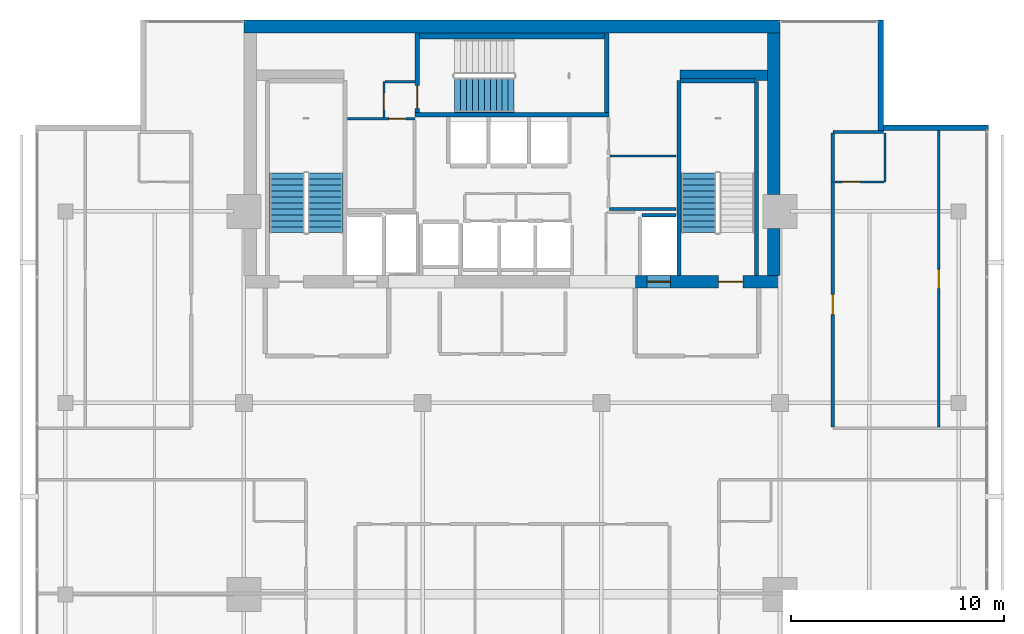
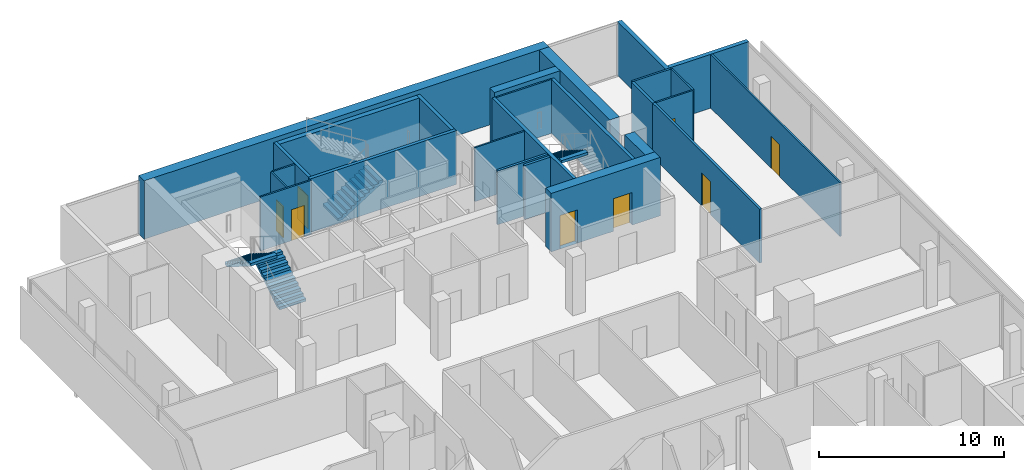
# One storey, part 23 of 26: 26 walls, 8 doors, 4 stair flights, 8 openings, 3 elements without a shape of their own.
"""IFC4 building model written with IfcOpenShell, lengths in metres."""

from ifc_helpers import new_model, si_unit, direction, frame, frame_2d, origin, place, context, subcontext, project, spatial, polyline, rectangle, outline, extrude, material, layer, layer_set, type_object, element, fill, aggregate, save


model = new_model("IFC4")

# Units and contexts
model_context = context("Model", 3, precision=1e-05, world=origin(), true_north=direction((0.0, 1.0)))
body_context = subcontext(model_context, "Body", "Model", "MODEL_VIEW")
ifc_project = project(units=[si_unit("LENGTHUNIT", "METRE"), si_unit("AREAUNIT", "SQUARE_METRE"), si_unit("VOLUMEUNIT", "CUBIC_METRE"), si_unit("PLANEANGLEUNIT", "RADIAN"), si_unit("MASSUNIT", "GRAM", prefix="KILO")], contexts=[model_context])

# Site, building, storey
site_placement = place(None, origin())
site = spatial("IfcSite", under=ifc_project, at=site_placement, CompositionType="ELEMENT")
building_placement = place(site_placement, origin())
building = spatial("IfcBuilding", under=site, at=building_placement, Name="Maruvema Waterfront Hotel and Observation Tower", CompositionType="ELEMENT")
storey_placement = place(building_placement, frame((0.0, 0.0, 312.550048828125)))
storey = spatial("IfcBuildingStorey", under=building, at=storey_placement, Name="L77", CompositionType="ELEMENT", Elevation=312.550048828125)

# Wall
ifc_material_1 = material(Name="Twin-stud acoustic gypsum drywall", Category="gypsum")
ifc_layer_1 = layer(ifc_material_1, 0.14990234375, Name="Acoustic Corridor and Suite Demising Wall 150 mm")
ifc_layer_set_1 = layer_set([ifc_layer_1], Name="Twin-stud acoustic gypsum drywall")
wall_type_1 = type_object("IfcWallType", Name="Acoustic Corridor and Suite Demising Wall 150 mm", PredefinedType="PARTITIONING", material=ifc_layer_set_1)
wall_1_placement = place(storey_placement, frame((42.3798828125, 45.1201171875, 0.0), z_axis=(0.0, 0.0, 1.0), x_axis=(1.0, 0.0, 0.0)))
element("IfcWall", 1, at=wall_1_placement, inside=storey, type_object=wall_type_1, Name="L77 Freed B2 South Wall 025", PredefinedType="PARTITIONING", context=body_context, shape_type="SweptSolid", body=[
    extrude(rectangle(XDim=3.14013671875, YDim=0.14990234375, at=frame_2d((1.570068359375, 0.0))), origin(), (0.0, 0.0, 1.0), 3.550048828125),
])

# Wall, opening, door
wall_2_placement = place(storey_placement, frame((52.8798828125, 34.860107421875, 0.0), z_axis=(0.0, 0.0, 1.0), x_axis=(0.0, 1.0, 0.0)))
wall_2 = element("IfcWall", 2, at=wall_2_placement, inside=storey, type_object=wall_type_1, Name="L77 Room L77-NE1 Corridor Wall 101", PredefinedType="PARTITIONING", context=body_context, shape_type="SweptSolid", body=[
    extrude(rectangle(XDim=11.52734375, YDim=0.14990234375, at=frame_2d((5.763671875, 0.0))), origin(), (0.0, 0.0, 1.0), 3.550048828125),
])
opening_1_placement = place(wall_2_placement, frame((5.288818359375, 0.0, 0.0)))
opening_1 = element("IfcOpeningElement", 3, at=opening_1_placement, cuts=wall_2, Name="Opening DR-095", PredefinedType="OPENING", context=body_context, shape_type="SweptSolid", body=[
    extrude(rectangle(XDim=0.949951171875, YDim=2.14990234375, at=frame_2d((0.47509765625, 1.074951171875))), frame((0.0, 0.0849609375, 0.0), z_axis=(0.0, -1.0, 0.0), x_axis=(1.0, 0.0, 0.0)), (0.0, 0.0, 1.0), 0.169921875),
])
ifc_material_2 = material(Name="Acoustic solid-core hardwood timber leaf", Category="wood")
door_type_1 = type_object("IfcDoorType", Name="Guestroom Entrance Fire Door 950x2150 mm", OperationType="NOTDEFINED", PredefinedType="DOOR", material=ifc_material_2)
door_1_placement = place(opening_1_placement, frame((0.949951171875, 0.0, 0.0), z_axis=(0.0, 0.0, 1.0), x_axis=(-1.0, 0.0, 0.0)))
door_1 = element("IfcDoor", 4, at=door_1_placement, inside=storey, type_object=door_type_1, Name="L77 Room L77-NE1 Entrance Door", OperationType="SINGLE_SWING_RIGHT", OverallHeight=2.14990234375, OverallWidth=0.949951171875, PredefinedType="DOOR", context=body_context, shape_type="SweptSolid", body=[
    extrude(rectangle(XDim=0.949951171875, YDim=2.14990234375, at=frame_2d((0.47509765625, 1.074951171875))), frame((0.0, 0.02490234375, 0.0), z_axis=(0.0, -1.0, 0.0), x_axis=(1.0, 0.0, 0.0)), (0.0, 0.0, 1.0), 0.050048828125),
])
fill(opening_1, door_1)

# Walls
wall_3_placement = place(storey_placement, frame((52.8798828125, 46.387451171875, 0.0), z_axis=(0.0, 0.0, 1.0), x_axis=(0.0, 1.0, 0.0)))
element("IfcWall", 5, at=wall_3_placement, inside=storey, type_object=wall_type_1, Name="L77 Bath L77-NE1 Wall 102", PredefinedType="PARTITIONING", context=body_context, shape_type="SweptSolid", body=[
    extrude(rectangle(XDim=2.2900390625, YDim=0.14990234375, at=frame_2d((1.14501953125, 0.0))), origin(), (0.0, 0.0, 1.0), 3.550048828125),
])
ifc_material_3 = material(Name="Precast concrete C45/55", Category="concrete")
ifc_layer_2 = layer(ifc_material_3, 0.300048828125, Name="Core Shaft Furring Wall 300 mm")
ifc_layer_set_2 = layer_set([ifc_layer_2], Name="Precast concrete C45/55")
wall_type_2 = type_object("IfcWallType", Name="Core Shaft Furring Wall 300 mm", PredefinedType="SOLIDWALL", material=ifc_layer_set_2)
wall_4_placement = place(storey_placement, frame((33.449951171875, 53.25, 0.0), z_axis=(0.0, 0.0, 1.0), x_axis=(1.0, 0.0, 0.0)))
element("IfcWall", 6, at=wall_4_placement, inside=storey, type_object=wall_type_2, Name="L77 Stairwell ST-02 North Furring Wall", PredefinedType="SOLIDWALL", context=body_context, shape_type="SweptSolid", body=[
    extrude(rectangle(XDim=8.699951171875, YDim=0.300048828125, at=frame_2d((4.35009765625, 0.0))), origin(), (0.0, 0.0, 1.0), 3.550048828125),
])
ifc_material_4 = material(Name="Precast concrete C45/55", Category="concrete")
ifc_layer_3 = layer(ifc_material_4, 0.199951171875, Name="Core Shaft and Stairwell Enclosure Wall 200 mm")
ifc_layer_set_3 = layer_set([ifc_layer_3], Name="Precast concrete C45/55")
wall_type_3 = type_object("IfcWallType", Name="Core Shaft and Stairwell Enclosure Wall 200 mm", PredefinedType="SOLIDWALL", material=ifc_layer_set_3)
wall_5_placement = place(storey_placement, frame((33.25, 49.550048828125, 0.0), z_axis=(0.0, 0.0, 1.0), x_axis=(1.0, 0.0, 0.0)))
element("IfcWall", 7, at=wall_5_placement, inside=storey, type_object=wall_type_3, Name="L77 Stairwell ST-02 Shaft Wall", PredefinedType="SOLIDWALL", context=body_context, shape_type="SweptSolid", body=[
    extrude(rectangle(XDim=9.10009765625, YDim=0.199951171875, at=frame_2d((4.550048828125, 0.0))), origin(), (0.0, 0.0, 1.0), 3.550048828125),
])
wall_6_placement = place(storey_placement, frame((42.25, 49.64990234375, 0.0), z_axis=(0.0, 0.0, 1.0), x_axis=(0.0, 1.0, 0.0)))
element("IfcWall", 8, at=wall_6_placement, inside=storey, type_object=wall_type_3, Name="L77 Stairwell ST-02 Shaft Wall", PredefinedType="SOLIDWALL", context=body_context, shape_type="SweptSolid", body=[
    extrude(rectangle(XDim=3.75, YDim=0.199951171875, at=frame_2d((1.875, 0.0))), origin(), (0.0, 0.0, 1.0), 3.550048828125),
])

# Wall, opening, door
wall_7_placement = place(storey_placement, frame((33.35009765625, 49.64990234375, 0.0), z_axis=(0.0, 0.0, 1.0), x_axis=(0.0, 1.0, 0.0)))
wall_7 = element("IfcWall", 9, at=wall_7_placement, inside=storey, type_object=wall_type_3, Name="L77 Stairwell ST-02 Shaft Wall", PredefinedType="SOLIDWALL", context=body_context, shape_type="SweptSolid", body=[
    extrude(rectangle(XDim=3.75, YDim=0.199951171875, at=frame_2d((1.875, 0.0))), origin(), (0.0, 0.0, 1.0), 3.550048828125),
])
opening_2_placement = place(wall_7_placement, frame((0.179931640625, 0.0, 0.0)))
opening_2 = element("IfcOpeningElement", 10, at=opening_2_placement, cuts=wall_7, Name="Opening SD-02", PredefinedType="OPENING", context=body_context, shape_type="SweptSolid", body=[
    extrude(rectangle(XDim=1.10009765625, YDim=2.14990234375, at=frame_2d((0.550048828125, 1.074951171875))), frame((0.0, 0.10986328125, 0.0), z_axis=(0.0, -1.0, 0.0), x_axis=(1.0, 0.0, 0.0)), (0.0, 0.0, 1.0), 0.219970703125),
])
ifc_material_5 = material(Name="Fire-rated galvanised steel leaf", Category="steel")
door_type_2 = type_object("IfcDoorType", Name="Central Exit Stair Fire Door 1100x2150 mm", OperationType="NOTDEFINED", PredefinedType="DOOR", material=ifc_material_5)
door_2_placement = place(opening_2_placement, frame((1.10009765625, 0.0, 0.0), z_axis=(0.0, 0.0, 1.0), x_axis=(-1.0, 0.0, 0.0)))
door_2 = element("IfcDoor", 11, at=door_2_placement, inside=storey, type_object=door_type_2, Name="L77 Exit Stair ST-02 Fire Door", OperationType="SINGLE_SWING_LEFT", OverallHeight=2.14990234375, OverallWidth=1.10009765625, PredefinedType="DOOR", context=body_context, shape_type="SweptSolid", body=[
    extrude(rectangle(XDim=1.10009765625, YDim=2.14990234375, at=frame_2d((0.550048828125, 1.074951171875))), frame((0.0, 0.02490234375, 0.0), z_axis=(0.0, -1.0, 0.0), x_axis=(1.0, 0.0, 0.0)), (0.0, 0.0, 1.0), 0.050048828125),
])
fill(opening_2, door_2)

# Walls
wall_8_placement = place(storey_placement, frame((45.64990234375, 42.0, 0.0), z_axis=(0.0, 0.0, 1.0), x_axis=(0.0, 1.0, 0.0)))
element("IfcWall", 12, at=wall_8_placement, inside=storey, type_object=wall_type_3, Name="L77 Stairwell ST-03 West Shaft Wall", PredefinedType="SOLIDWALL", context=body_context, shape_type="SweptSolid", body=[
    extrude(rectangle(XDim=9.14990234375, YDim=0.199951171875, at=frame_2d((4.574951171875, 0.0))), origin(), (0.0, 0.0, 1.0), 3.550048828125),
])
wall_9_placement = place(storey_placement, frame((49.300048828125, 42.0, 0.0), z_axis=(0.0, 0.0, 1.0), x_axis=(0.0, 1.0, 0.0)))
element("IfcWall", 13, at=wall_9_placement, inside=storey, type_object=wall_type_3, Name="L77 Stairwell ST-03 Shaft Lining Wall", PredefinedType="SOLIDWALL", context=body_context, shape_type="SweptSolid", body=[
    extrude(rectangle(XDim=9.1201171875, YDim=0.199951171875, at=frame_2d((4.56005859375, 0.0))), origin(), (0.0, 0.0, 1.0), 3.550048828125),
])
wall_10_placement = place(storey_placement, frame((45.719970703125, 51.14990234375, 0.0), z_axis=(0.0, 0.0, 1.0), x_axis=(1.0, 0.0, 0.0)))
element("IfcWall", 14, at=wall_10_placement, inside=storey, type_object=wall_type_3, Name="L77 Stairwell ST-03 Shaft Lining Wall", PredefinedType="SOLIDWALL", context=body_context, shape_type="SweptSolid", body=[
    extrude(rectangle(XDim=3.5, YDim=0.199951171875, at=frame_2d((1.75, 0.0))), origin(), (0.0, 0.0, 1.0), 3.550048828125),
])
ifc_material_6 = material(Name="Concrete C70/85", Category="concrete")
ifc_layer_4 = layer(ifc_material_6, 0.5, Name="Core Shear Wall 500 mm")
ifc_layer_set_4 = layer_set([ifc_layer_4], Name="Concrete C70/85")
wall_type_4 = type_object("IfcWallType", Name="Core Shear Wall 500 mm", PredefinedType="SHEAR", material=ifc_layer_set_4)
wall_11_placement = place(storey_placement, frame((45.699951171875, 51.39990234375, 0.0), z_axis=(0.0, 0.0, 1.0), x_axis=(1.0, 0.0, 0.0)))
element("IfcWall", 15, at=wall_11_placement, inside=storey, type_object=wall_type_4, Name="L77 Internal Core Shear Wall NE 500 mm", PredefinedType="SHEAR", context=body_context, shape_type="SweptSolid", body=[
    extrude(rectangle(XDim=4.10009765625, YDim=0.5, at=frame_2d((2.050048828125, 0.0))), origin(), (0.0, 0.0, 1.0), 3.849853515625),
])
ifc_material_7 = material(Name="Concrete C60/75", Category="concrete")
ifc_layer_5 = layer(ifc_material_7, 0.60009765625, Name="Core Shear Wall 600 mm")
ifc_layer_set_5 = layer_set([ifc_layer_5], Name="Concrete C60/75")
wall_type_5 = type_object("IfcWallType", Name="Core Shear Wall 600 mm", PredefinedType="SHEAR", material=ifc_layer_set_5)
wall_12_placement = place(storey_placement, frame((25.199951171875, 53.699951171875, 0.0), z_axis=(0.0, 0.0, 1.0), x_axis=(1.0, 0.0, 0.0)))
element("IfcWall", 16, at=wall_12_placement, inside=storey, type_object=wall_type_5, Name="L77 North Core Shear Wall", PredefinedType="SHEAR", context=body_context, shape_type="SweptSolid", body=[
    extrude(rectangle(XDim=25.199951171875, YDim=0.60009765625, at=frame_2d((12.60009765625, 0.0))), origin(), (0.0, 0.0, 1.0), 3.849853515625),
])

# Wall, openings, doors
wall_13_placement = place(storey_placement, frame((43.60009765625, 41.699951171875, 0.0), z_axis=(0.0, 0.0, 1.0), x_axis=(1.0, 0.0, 0.0)))
wall_13 = element("IfcWall", 17, at=wall_13_placement, inside=storey, type_object=wall_type_5, Name="L77 South-East Core Shear Wall", PredefinedType="SHEAR", context=body_context, shape_type="SweptSolid", body=[
    extrude(rectangle(XDim=6.7998046875, YDim=0.60009765625, at=frame_2d((3.39990234375, 0.0))), origin(), (0.0, 0.0, 1.0), 3.849853515625),
])
opening_3_placement = place(wall_13_placement, frame((3.89990234375, 0.0, 0.0)))
opening_3 = element("IfcOpeningElement", 18, at=opening_3_placement, cuts=wall_13, Name="Opening SD-01", PredefinedType="OPENING", context=body_context, shape_type="SweptSolid", body=[
    extrude(rectangle(XDim=1.14990234375, YDim=2.14990234375, at=frame_2d((0.574951171875, 1.074951171875))), frame((0.0, 0.31005859375, 0.0), z_axis=(0.0, -1.0, 0.0), x_axis=(1.0, 0.0, 0.0)), (0.0, 0.0, 1.0), 0.6201171875),
])
opening_4_placement = place(wall_13_placement, frame((0.550048828125, 0.0, 0.0)))
opening_4 = element("IfcOpeningElement", 19, at=opening_4_placement, cuts=wall_13, Name="Opening LD-03", PredefinedType="OPENING", context=body_context, shape_type="SweptSolid", body=[
    extrude(rectangle(XDim=1.10009765625, YDim=2.199951171875, at=frame_2d((0.550048828125, 1.10009765625))), frame((0.0, 0.31005859375, 0.0), z_axis=(0.0, -1.0, 0.0), x_axis=(1.0, 0.0, 0.0)), (0.0, 0.0, 1.0), 0.6201171875),
])
ifc_material_8 = material(Name="Fire-rated galvanised steel leaf", Category="steel")
door_type_3 = type_object("IfcDoorType", Name="Exit Stair Fire Door 1150x2150 mm", OperationType="NOTDEFINED", PredefinedType="DOOR", material=ifc_material_8)
door_3_placement = place(opening_3_placement, origin())
door_3 = element("IfcDoor", 20, at=door_3_placement, inside=storey, type_object=door_type_3, Name="L77 Exit Stair ST-03 Fire Door", OperationType="SINGLE_SWING_RIGHT", OverallHeight=2.14990234375, OverallWidth=1.14990234375, PredefinedType="DOOR", context=body_context, shape_type="SweptSolid", body=[
    extrude(rectangle(XDim=1.14990234375, YDim=2.14990234375, at=frame_2d((0.574951171875, 1.074951171875))), frame((0.0, 0.02490234375, 0.0), z_axis=(0.0, -1.0, 0.0), x_axis=(1.0, 0.0, 0.0)), (0.0, 0.0, 1.0), 0.050048828125),
])
fill(opening_3, door_3)
ifc_material_9 = material(Name="Brushed stainless steel Grade 316", Category="steel")
door_type_4 = type_object("IfcDoorType", Name="Firefighting Lift Sliding Landing Door 1100x2200 mm", OperationType="SLIDING_TO_LEFT", PredefinedType="DOOR", material=ifc_material_9)
door_4_placement = place(opening_4_placement, frame((1.10009765625, 0.0, 0.0), z_axis=(0.0, 0.0, 1.0), x_axis=(-1.0, 0.0, 0.0)))
door_4 = element("IfcDoor", 21, at=door_4_placement, inside=storey, type_object=door_type_4, Name="L77 Firefighting Lift FL-02 Landing Door", OperationType="SLIDING_TO_LEFT", OverallHeight=2.199951171875, OverallWidth=1.10009765625, PredefinedType="DOOR", context=body_context, shape_type="SweptSolid", body=[
    extrude(rectangle(XDim=1.10009765625, YDim=2.199951171875, at=frame_2d((0.550048828125, 1.10009765625))), frame((0.0, 0.02490234375, 0.0), z_axis=(0.0, -1.0, 0.0), x_axis=(1.0, 0.0, 0.0)), (0.0, 0.0, 1.0), 0.050048828125),
])
fill(opening_4, door_4)

# Walls
wall_14_placement = place(storey_placement, frame((50.10009765625, 42.0, 0.0), z_axis=(0.0, 0.0, 1.0), x_axis=(0.0, 1.0, 0.0)))
element("IfcWall", 22, at=wall_14_placement, inside=storey, type_object=wall_type_5, Name="L77 East-South Core Shear Wall", PredefinedType="SHEAR", context=body_context, shape_type="SweptSolid", body=[
    extrude(rectangle(XDim=2.199951171875, YDim=0.60009765625, at=frame_2d((1.10009765625, 0.0))), origin(), (0.0, 0.0, 1.0), 3.849853515625),
])
wall_15_placement = place(storey_placement, frame((50.10009765625, 45.800048828125, 0.0), z_axis=(0.0, 0.0, 1.0), x_axis=(0.0, 1.0, 0.0)))
element("IfcWall", 23, at=wall_15_placement, inside=storey, type_object=wall_type_5, Name="L77 East-North Core Shear Wall", PredefinedType="SHEAR", context=body_context, shape_type="SweptSolid", body=[
    extrude(rectangle(XDim=7.599853515625, YDim=0.60009765625, at=frame_2d((3.7998046875, 0.0))), origin(), (0.0, 0.0, 1.0), 3.849853515625),
])

# Wall, opening, door
ifc_material_10 = material(Name="Moisture-resistant cement-board drywall", Category="gypsum")
ifc_layer_6 = layer(ifc_material_10, 0.10009765625, Name="En-Suite Moisture-Resistant Partition 100 mm")
ifc_layer_set_6 = layer_set([ifc_layer_6], Name="Moisture-resistant cement-board drywall")
wall_type_6 = type_object("IfcWallType", Name="En-Suite Moisture-Resistant Partition 100 mm", PredefinedType="PARTITIONING", material=ifc_layer_set_6)
wall_16_placement = place(storey_placement, frame((30.06005859375, 49.360107421875, 0.0), z_axis=(0.0, 0.0, 1.0), x_axis=(1.0, 0.0, 0.0)))
wall_16 = element("IfcWall", 24, at=wall_16_placement, inside=storey, type_object=wall_type_6, Name="L77 Freed B1 Mid Wall 019", PredefinedType="PARTITIONING", context=body_context, shape_type="SweptSolid", body=[
    extrude(rectangle(XDim=3.179931640625, YDim=0.10009765625, at=frame_2d((1.58984375, 0.0))), origin(), (0.0, 0.0, 1.0), 3.550048828125),
])
opening_5_placement = place(wall_16_placement, frame((1.949951171875, 0.0, 0.0)))
opening_5 = element("IfcOpeningElement", 25, at=opening_5_placement, cuts=wall_16, Name="Opening DR-080", PredefinedType="OPENING", context=body_context, shape_type="SweptSolid", body=[
    extrude(rectangle(XDim=0.800048828125, YDim=2.050048828125, at=frame_2d((0.39990234375, 1.02490234375))), frame((0.0, 0.06005859375, 0.0), z_axis=(0.0, -1.0, 0.0), x_axis=(1.0, 0.0, 0.0)), (0.0, 0.0, 1.0), 0.1201171875),
])
ifc_material_11 = material(Name="Powder-coated steel access leaf", Category="steel")
door_type_5 = type_object("IfcDoorType", Name="Riser and Service Cupboard Door 800x2050 mm", OperationType="NOTDEFINED", PredefinedType="DOOR", material=ifc_material_11)
door_5_placement = place(opening_5_placement, origin())
door_5 = element("IfcDoor", 26, at=door_5_placement, inside=storey, type_object=door_type_5, Name="L77 Housekeeping and Linen Room Door", OperationType="SINGLE_SWING_RIGHT", OverallHeight=2.050048828125, OverallWidth=0.800048828125, PredefinedType="DOOR", context=body_context, shape_type="SweptSolid", body=[
    extrude(rectangle(XDim=0.800048828125, YDim=2.050048828125, at=frame_2d((0.39990234375, 1.02490234375))), frame((0.0, 0.02490234375, 0.0), z_axis=(0.0, -1.0, 0.0), x_axis=(1.0, 0.0, 0.0)), (0.0, 0.0, 1.0), 0.050048828125),
])
fill(opening_5, door_5)

wall_17_placement = place(storey_placement, frame((31.780029296875, 49.419921875, 0.0), z_axis=(0.0, 0.0, 1.0), x_axis=(0.0, 1.0, 0.0)))
wall_17 = element("IfcWall", 27, at=wall_17_placement, inside=storey, type_object=wall_type_6, Name="L77 Freed B1 NW East Wall 020", PredefinedType="PARTITIONING", context=body_context, shape_type="SweptSolid", body=[
    extrude(rectangle(XDim=1.68017578125, YDim=0.10009765625, at=frame_2d((0.840087890625, 0.0))), origin(), (0.0, 0.0, 1.0), 3.550048828125),
])
opening_6_placement = place(wall_17_placement, frame((0.35009765625, 0.0, 0.0)))
opening_6 = element("IfcOpeningElement", 28, at=opening_6_placement, cuts=wall_17, Name="Opening DR-080", PredefinedType="OPENING", context=body_context, shape_type="SweptSolid", body=[
    extrude(rectangle(XDim=0.800048828125, YDim=2.050048828125, at=frame_2d((0.39990234375, 1.02490234375))), frame((0.0, 0.06005859375, 0.0), z_axis=(0.0, -1.0, 0.0), x_axis=(1.0, 0.0, 0.0)), (0.0, 0.0, 1.0), 0.1201171875),
])
door_6_placement = place(opening_6_placement, origin())
door_6 = element("IfcDoor", 29, at=door_6_placement, inside=storey, type_object=door_type_5, Name="L77 Guest Floor Pantry Door", OperationType="SINGLE_SWING_LEFT", OverallHeight=2.050048828125, OverallWidth=0.800048828125, PredefinedType="DOOR", context=body_context, shape_type="SweptSolid", body=[
    extrude(rectangle(XDim=0.800048828125, YDim=2.050048828125, at=frame_2d((0.39990234375, 1.02490234375))), frame((0.0, 0.02490234375, 0.0), z_axis=(0.0, -1.0, 0.0), x_axis=(1.0, 0.0, 0.0)), (0.0, 0.0, 1.0), 0.050048828125),
])
fill(opening_6, door_6)

# Walls
wall_18_placement = place(storey_placement, frame((31.820068359375, 51.10009765625, 0.0), z_axis=(0.0, 0.0, 1.0), x_axis=(1.0, 0.0, 0.0)))
element("IfcWall", 30, at=wall_18_placement, inside=storey, type_object=wall_type_6, Name="L77 Freed B1 Vestibule North Wall 021", PredefinedType="PARTITIONING", context=body_context, shape_type="SweptSolid", body=[
    extrude(rectangle(XDim=1.419921875, YDim=0.10009765625, at=frame_2d((0.7099609375, 0.0))), origin(), (0.0, 0.0, 1.0), 3.550048828125),
])
wall_19_placement = place(storey_placement, frame((42.39990234375, 47.60009765625, 0.0), z_axis=(0.0, 0.0, 1.0), x_axis=(1.0, 0.0, 0.0)))
element("IfcWall", 31, at=wall_19_placement, inside=storey, type_object=wall_type_6, Name="L77 Freed B2 Split 024", PredefinedType="PARTITIONING", context=body_context, shape_type="SweptSolid", body=[
    extrude(rectangle(XDim=3.10009765625, YDim=0.10009765625, at=frame_2d((1.550048828125, 0.0))), origin(), (0.0, 0.0, 1.0), 3.550048828125),
])
wall_20_placement = place(storey_placement, frame((55.330078125, 46.387451171875, 0.0), z_axis=(0.0, 0.0, 1.0), x_axis=(0.0, 1.0, 0.0)))
element("IfcWall", 32, at=wall_20_placement, inside=storey, type_object=wall_type_6, Name="L77 En-Suite L77-NE1 E 103", PredefinedType="PARTITIONING", context=body_context, shape_type="SweptSolid", body=[
    extrude(rectangle(XDim=2.2900390625, YDim=0.10009765625, at=frame_2d((1.14501953125, 0.0))), origin(), (0.0, 0.0, 1.0), 3.550048828125),
])

# Wall, opening, door
wall_21_placement = place(storey_placement, frame((52.97998046875, 46.387451171875, 0.0), z_axis=(0.0, 0.0, 1.0), x_axis=(1.0, 0.0, 0.0)))
wall_21 = element("IfcWall", 33, at=wall_21_placement, inside=storey, type_object=wall_type_6, Name="L77 En-Suite L77-NE1 S 104", PredefinedType="PARTITIONING", context=body_context, shape_type="SweptSolid", body=[
    extrude(rectangle(XDim=2.300048828125, YDim=0.10009765625, at=frame_2d((1.14990234375, 0.0))), origin(), (0.0, 0.0, 1.0), 3.550048828125),
])
opening_7_placement = place(wall_21_placement, frame((0.35009765625, 0.0, 0.0)))
opening_7 = element("IfcOpeningElement", 34, at=opening_7_placement, cuts=wall_21, Name="Opening DR-085", PredefinedType="OPENING", context=body_context, shape_type="SweptSolid", body=[
    extrude(rectangle(XDim=0.85009765625, YDim=2.10009765625, at=frame_2d((0.425048828125, 1.050048828125))), frame((0.0, 0.06005859375, 0.0), z_axis=(0.0, -1.0, 0.0), x_axis=(1.0, 0.0, 0.0)), (0.0, 0.0, 1.0), 0.1201171875),
])
ifc_material_12 = material(Name="Moisture-resistant solid timber leaf", Category="wood")
door_type_6 = type_object("IfcDoorType", Name="En-Suite Bathroom Door 850x2100 mm", OperationType="NOTDEFINED", PredefinedType="DOOR", material=ifc_material_12)
door_7_placement = place(opening_7_placement, frame((0.85009765625, 0.0, 0.0), z_axis=(0.0, 0.0, 1.0), x_axis=(-1.0, 0.0, 0.0)))
door_7 = element("IfcDoor", 35, at=door_7_placement, inside=storey, type_object=door_type_6, Name="L77 En-Suite L77-NE1 Door", OperationType="SINGLE_SWING_LEFT", OverallHeight=2.10009765625, OverallWidth=0.85009765625, PredefinedType="DOOR", context=body_context, shape_type="SweptSolid", body=[
    extrude(rectangle(XDim=0.85009765625, YDim=2.10009765625, at=frame_2d((0.425048828125, 1.050048828125))), frame((0.0, 0.02490234375, 0.0), z_axis=(0.0, -1.0, 0.0), x_axis=(1.0, 0.0, 0.0)), (0.0, 0.0, 1.0), 0.050048828125),
])
fill(opening_7, door_7)

wall_22_placement = place(storey_placement, frame((57.8623046875, 34.860107421875, 0.0), z_axis=(0.0, 0.0, 1.0), x_axis=(0.0, 1.0, 0.0)))
wall_22 = element("IfcWall", 36, at=wall_22_placement, inside=storey, type_object=wall_type_6, Name="L77 Suite L77-NE1 Split 105", PredefinedType="PARTITIONING", context=body_context, shape_type="SweptSolid", body=[
    extrude(rectangle(XDim=13.9375, YDim=0.10009765625, at=frame_2d((6.96875, 0.0))), origin(), (0.0, 0.0, 1.0), 3.550048828125),
])
opening_8_placement = place(wall_22_placement, frame((6.518798828125, 0.0, 0.0)))
opening_8 = element("IfcOpeningElement", 37, at=opening_8_placement, cuts=wall_22, Name="Opening DR-090", PredefinedType="OPENING", context=body_context, shape_type="SweptSolid", body=[
    extrude(rectangle(XDim=0.89990234375, YDim=2.10009765625, at=frame_2d((0.449951171875, 1.050048828125))), frame((0.0, 0.06005859375, 0.0), z_axis=(0.0, -1.0, 0.0), x_axis=(1.0, 0.0, 0.0)), (0.0, 0.0, 1.0), 0.1201171875),
])
ifc_material_13 = material(Name="Solid-core lacquered timber leaf", Category="wood")
door_type_7 = type_object("IfcDoorType", Name="Accessible Toilet and Room Door 900x2100 mm", OperationType="NOTDEFINED", PredefinedType="DOOR", material=ifc_material_13)
door_8_placement = place(opening_8_placement, frame((0.89990234375, 0.0, 0.0), z_axis=(0.0, 0.0, 1.0), x_axis=(-1.0, 0.0, 0.0)))
door_8 = element("IfcDoor", 38, at=door_8_placement, inside=storey, type_object=door_type_7, Name="L77 Suite L77-NE1 Bedroom Door", OperationType="SINGLE_SWING_LEFT", OverallHeight=2.10009765625, OverallWidth=0.89990234375, PredefinedType="DOOR", context=body_context, shape_type="SweptSolid", body=[
    extrude(rectangle(XDim=0.89990234375, YDim=2.10009765625, at=frame_2d((0.449951171875, 1.050048828125))), frame((0.0, 0.02490234375, 0.0), z_axis=(0.0, -1.0, 0.0), x_axis=(1.0, 0.0, 0.0)), (0.0, 0.0, 1.0), 0.050048828125),
])
fill(opening_8, door_8)

# Walls
ifc_material_14 = material(Name="Precast concrete C45/55 with honed Pernambuco granite facing", Category="masonry")
ifc_layer_7 = layer(ifc_material_14, 0.260009765625, Name="Exterior Granite Clad Spandrel and Pier Wall 260 mm")
ifc_layer_set_7 = layer_set([ifc_layer_7], Name="Precast concrete C45/55 with honed Pernambuco granite facing")
wall_type_7 = type_object("IfcWallType", Name="Exterior Granite Clad Spandrel and Pier Wall 260 mm", PredefinedType="SOLIDWALL", material=ifc_layer_set_7)
for number, where, z_axis, x_axis, name in (
    (39, (55.1298828125, 54.0, 0.0), (0.0, 0.0, 1.0), (0.0, -1.0, 0.0), "L77 Corner Notch Granite Pier Wall NE1"),
    (40, (55.0, 48.929931640625, 0.0), (0.0, 0.0, 1.0), (1.0, 0.0, 0.0), "L77 Corner Notch Granite Pier Wall NE2"),
):
    element("IfcWall", number, at=place(storey_placement, frame(where, z_axis=z_axis, x_axis=x_axis)), inside=storey, type_object=wall_type_7, Name=name, PredefinedType="SOLIDWALL", context=body_context, shape_type="SweptSolid", body=[
        extrude(rectangle(XDim=5.199951171875, YDim=0.260009765625, at=frame_2d((2.60009765625, 0.0))), origin(), (0.0, 0.0, 1.0), 3.550048828125),
    ])
ifc_material_15 = material(Name="Acoustic gypsum plasterboard drywall", Category="gypsum")
ifc_layer_8 = layer(ifc_material_15, 0.125, Name="Guestroom Acoustic Demising Wall 125 mm")
ifc_layer_set_8 = layer_set([ifc_layer_8], Name="Acoustic gypsum plasterboard drywall")
wall_type_8 = type_object("IfcWallType", Name="Guestroom Acoustic Demising Wall 125 mm", PredefinedType="PARTITIONING", material=ifc_layer_set_8)
wall_23_placement = place(storey_placement, frame((52.8798828125, 48.737548828125, 0.0), z_axis=(0.0, 0.0, 1.0), x_axis=(1.0, 0.0, 0.0)))
element("IfcWall", 41, at=wall_23_placement, inside=storey, type_object=wall_type_8, Name="L77 Z3 NE Top End 095", PredefinedType="PARTITIONING", context=body_context, shape_type="SweptSolid", body=[
    extrude(rectangle(XDim=2.380126953125, YDim=0.125, at=frame_2d((1.18994140625, 0.0))), origin(), (0.0, 0.0, 1.0), 3.550048828125),
])
ifc_material_16 = material(Name="Precast concrete C45/55", Category="concrete")
ifc_layer_9 = layer(ifc_material_16, 0.159912109375, Name="Lift Hoistway Divider Wall 160 mm")
ifc_layer_set_9 = layer_set([ifc_layer_9], Name="Precast concrete C45/55")
wall_type_9 = type_object("IfcWallType", Name="Lift Hoistway Divider Wall 160 mm", PredefinedType="SOLIDWALL", material=ifc_layer_set_9)
wall_24_placement = place(storey_placement, frame((43.89990234375, 44.830078125, 0.0), z_axis=(0.0, 0.0, 1.0), x_axis=(1.0, 0.0, 0.0)))
element("IfcWall", 42, at=wall_24_placement, inside=storey, type_object=wall_type_9, Name="L77 Lift FL-02 Rear Hoistway Wall", PredefinedType="SOLIDWALL", context=body_context, shape_type="SweptSolid", body=[
    extrude(rectangle(XDim=1.60009765625, YDim=0.159912109375, at=frame_2d((0.800048828125, 0.0))), origin(), (0.0, 0.0, 1.0), 3.550048828125),
])

# Stair, stair flights
ifc_material_17 = material(Name="Concrete C50/60", Category="concrete")
stair_type = type_object("IfcStairType", Name="Dogleg Exit Stair 1650 mm (22R x 175.0 mm)", PredefinedType="HALF_TURN_STAIR", material=ifc_material_17)
stair_1_placement = place(storey_placement, origin())
stair_1 = element("IfcStair", 43, at=stair_1_placement, inside=storey, type_object=stair_type, Name="L77 ST-01", PredefinedType="HALF_TURN_STAIR")
ifc_material_18 = material(Name="Concrete C50/60", Category="concrete")
stair_flight_type = type_object("IfcStairFlightType", Name="Reinforced Concrete Stair Flight 1650 mm (11R x 175.0 mm)", PredefinedType="STRAIGHT", material=ifc_material_18)
stair_flight_1_placement = place(storey_placement, frame((29.02490234375, 44.0, 0.0), z_axis=(0.0, 0.0, 1.0), x_axis=(0.0, 1.0, 0.0)))
stair_flight_1 = element("IfcStairFlight", 44, at=stair_flight_1_placement, type_object=stair_flight_type, Name="ST-01 flight 1", NumberOfRisers=11, NumberOfTreads=10, PredefinedType="STRAIGHT", RiserHeight=0.175, TreadLength=0.28, context=body_context, shape_type="SweptSolid", body=[
    extrude(outline(polyline([(0.0, 0.0), (0.0, 0.175048828125), (0.280029296875, 0.175048828125), (0.280029296875, 0.35009765625), (0.56005859375, 0.35009765625), (0.56005859375, 0.52490234375), (0.840087890625, 0.52490234375), (0.840087890625, 0.699951171875), (1.1201171875, 0.699951171875), (1.1201171875, 0.875), (1.39990234375, 0.875), (1.39990234375, 1.050048828125), (1.679931640625, 1.050048828125), (1.679931640625, 1.22509765625), (1.9599609375, 1.22509765625), (1.9599609375, 1.39990234375), (2.239990234375, 1.39990234375), (2.239990234375, 1.574951171875), (2.52001953125, 1.574951171875), (2.52001953125, 1.75), (2.800048828125, 1.75), (2.800048828125, 1.925048828125), (2.800048828125, 1.5732421875), (0.28271484375, 0.0), (0.0, 0.0)])), frame((0.0, 0.824951171875, 0.0), z_axis=(0.0, -1.0, 0.0), x_axis=(1.0, 0.0, 0.0)), (0.0, 0.0, 1.0), 1.64990234375),
])
stair_flight_2_placement = place(storey_placement, frame((27.22509765625, 46.800048828125, 1.925048828125), z_axis=(0.0, 0.0, 1.0), x_axis=(0.0, -1.0, 0.0)))
stair_flight_2 = element("IfcStairFlight", 45, at=stair_flight_2_placement, type_object=stair_flight_type, Name="ST-01 flight 2", NumberOfRisers=11, NumberOfTreads=10, PredefinedType="STRAIGHT", RiserHeight=0.175, TreadLength=0.28, context=body_context, shape_type="SweptSolid", body=[
    extrude(outline(polyline([(0.0, 0.0), (0.0, 0.175048828125), (0.280029296875, 0.175048828125), (0.280029296875, 0.35009765625), (0.56005859375, 0.35009765625), (0.56005859375, 0.52490234375), (0.840087890625, 0.52490234375), (0.840087890625, 0.699951171875), (1.1201171875, 0.699951171875), (1.1201171875, 0.875), (1.39990234375, 0.875), (1.39990234375, 1.050048828125), (1.679931640625, 1.050048828125), (1.679931640625, 1.22509765625), (1.9599609375, 1.22509765625), (1.9599609375, 1.39990234375), (2.239990234375, 1.39990234375), (2.239990234375, 1.574951171875), (2.52001953125, 1.574951171875), (2.52001953125, 1.75), (2.800048828125, 1.75), (2.800048828125, 1.925048828125), (2.800048828125, 1.5732421875), (0.28271484375, 0.0), (0.0, 0.0)])), frame((0.0, 0.824951171875, 0.0), z_axis=(0.0, -1.0, 0.0), x_axis=(1.0, 0.0, 0.0)), (0.0, 0.0, 1.0), 1.64990234375),
])
aggregate(stair_1, [stair_flight_1, stair_flight_2])

# Stair, stair flight
stair_2_placement = place(storey_placement, origin())
stair_2 = element("IfcStair", 46, at=stair_2_placement, inside=storey, type_object=stair_type, Name="L77 ST-02", PredefinedType="HALF_TURN_STAIR")
stair_flight_3_placement = place(storey_placement, frame((35.10009765625, 50.47509765625, 0.0), z_axis=(0.0, 0.0, 1.0), x_axis=(1.0, 0.0, 0.0)))
stair_flight_3 = element("IfcStairFlight", 47, at=stair_flight_3_placement, type_object=stair_flight_type, Name="ST-02 flight 1", NumberOfRisers=11, NumberOfTreads=10, PredefinedType="STRAIGHT", RiserHeight=0.175, TreadLength=0.28, context=body_context, shape_type="SweptSolid", body=[
    extrude(outline(polyline([(0.0, 0.0), (0.0, 0.175048828125), (0.280029296875, 0.175048828125), (0.280029296875, 0.35009765625), (0.56005859375, 0.35009765625), (0.56005859375, 0.52490234375), (0.840087890625, 0.52490234375), (0.840087890625, 0.699951171875), (1.1201171875, 0.699951171875), (1.1201171875, 0.875), (1.39990234375, 0.875), (1.39990234375, 1.050048828125), (1.679931640625, 1.050048828125), (1.679931640625, 1.22509765625), (1.9599609375, 1.22509765625), (1.9599609375, 1.39990234375), (2.239990234375, 1.39990234375), (2.239990234375, 1.574951171875), (2.52001953125, 1.574951171875), (2.52001953125, 1.75), (2.800048828125, 1.75), (2.800048828125, 1.925048828125), (2.800048828125, 1.5732421875), (0.28271484375, 0.0), (0.0, 0.0)])), frame((0.0, 0.824951171875, 0.0), z_axis=(0.0, -1.0, 0.0), x_axis=(1.0, 0.0, 0.0)), (0.0, 0.0, 1.0), 1.64990234375),
])
aggregate(stair_2, [stair_flight_3])

stair_3_placement = place(storey_placement, origin())
stair_3 = element("IfcStair", 48, at=stair_3_placement, inside=storey, type_object=stair_type, Name="L77 ST-03", PredefinedType="HALF_TURN_STAIR")
stair_flight_4_placement = place(storey_placement, frame((46.574951171875, 46.800048828125, 1.925048828125), z_axis=(0.0, 0.0, 1.0), x_axis=(0.0, -1.0, 0.0)))
stair_flight_4 = element("IfcStairFlight", 49, at=stair_flight_4_placement, type_object=stair_flight_type, Name="ST-03 flight 2", NumberOfRisers=11, NumberOfTreads=10, PredefinedType="STRAIGHT", RiserHeight=0.175, TreadLength=0.28, context=body_context, shape_type="SweptSolid", body=[
    extrude(outline(polyline([(0.0, 0.0), (0.0, 0.175048828125), (0.280029296875, 0.175048828125), (0.280029296875, 0.35009765625), (0.56005859375, 0.35009765625), (0.56005859375, 0.52490234375), (0.840087890625, 0.52490234375), (0.840087890625, 0.699951171875), (1.1201171875, 0.699951171875), (1.1201171875, 0.875), (1.39990234375, 0.875), (1.39990234375, 1.050048828125), (1.679931640625, 1.050048828125), (1.679931640625, 1.22509765625), (1.9599609375, 1.22509765625), (1.9599609375, 1.39990234375), (2.239990234375, 1.39990234375), (2.239990234375, 1.574951171875), (2.52001953125, 1.574951171875), (2.52001953125, 1.75), (2.800048828125, 1.75), (2.800048828125, 1.925048828125), (2.800048828125, 1.5732421875), (0.28271484375, 0.0), (0.0, 0.0)])), frame((0.0, 0.824951171875, 0.0), z_axis=(0.0, -1.0, 0.0), x_axis=(1.0, 0.0, 0.0)), (0.0, 0.0, 1.0), 1.64990234375),
])
aggregate(stair_3, [stair_flight_4])

save(model, "model.ifc")
